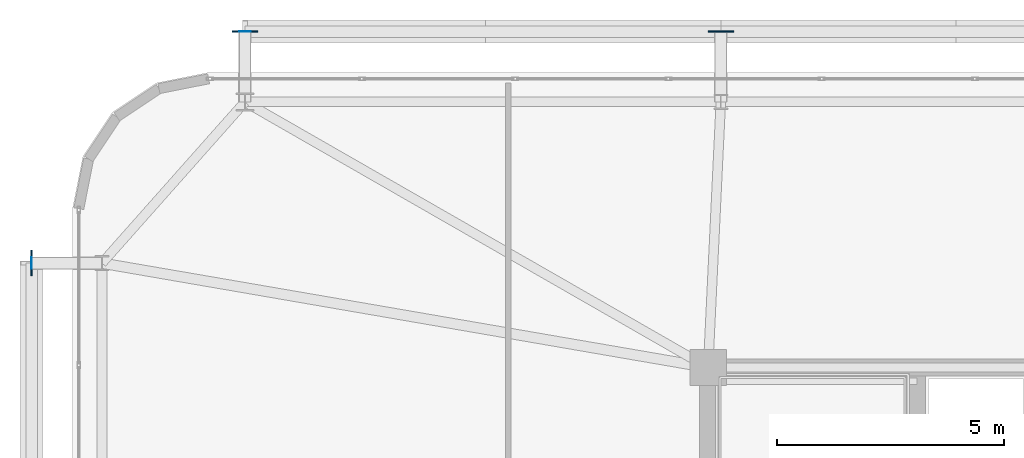
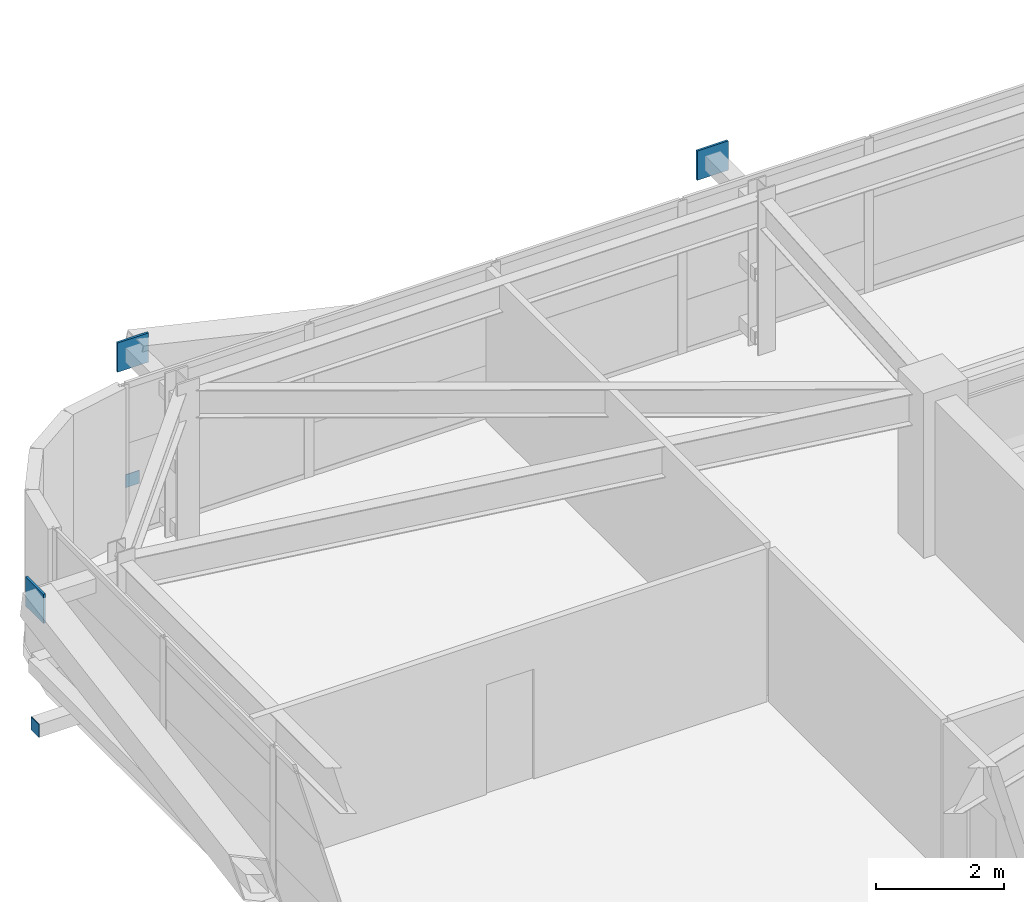
# One storey, part 49 of 59: 5 plates.
"""IFC4 building model written with IfcOpenShell, lengths in metres."""

from ifc_helpers import new_model, si_unit, direction, frame, origin, origin_2d, place, context, subcontext, project, spatial, rectangle, extrude, source, transform, mapped, material, layer, layer_set, type_object, element, save


model = new_model("IFC4")

# Units and contexts
model_context = context("Model", 3, precision=1e-05, world=origin(), true_north=direction((0.0, 1.0)))
body_context = subcontext(model_context, "Body", "Model", "MODEL_VIEW")
ifc_project = project(units=[si_unit("LENGTHUNIT", "METRE"), si_unit("AREAUNIT", "SQUARE_METRE"), si_unit("VOLUMEUNIT", "CUBIC_METRE"), si_unit("PLANEANGLEUNIT", "RADIAN"), si_unit("MASSUNIT", "GRAM", prefix="KILO")], contexts=[model_context])

# Site, building, storey
site_placement = place(None, origin())
site = spatial("IfcSite", under=ifc_project, at=site_placement, CompositionType="ELEMENT")
building_placement = place(site_placement, origin())
building = spatial("IfcBuilding", under=site, at=building_placement, Name="Taldren Reach Tower", CompositionType="ELEMENT")
storey_placement = place(building_placement, frame((0.0, 0.0, 26.25)))
storey = spatial("IfcBuildingStorey", under=building, at=storey_placement, Name="L07", CompositionType="ELEMENT", Elevation=26.25)

# Plates
ifc_material_1 = material(Name="Steel Gr 450 (C450L0)", Category="steel")
ifc_layer_1 = layer(ifc_material_1, 0.0400390625)
ifc_layer_set_1 = layer_set([ifc_layer_1], Name="Steel Gr 450 (C450L0)")
plate_type_1 = type_object("IfcPlateType", Name="PL-GUSSET-40", PredefinedType="SHEET", material=ifc_layer_set_1)
shared_shape_1 = source(origin(), body_context, "Body", "SweptSolid", [
    extrude(rectangle(XDim=0.56005859375, YDim=0.0400390625, at=origin_2d()), origin(), (0.0, 0.0, 1.0), 0.56005859375),
])
for number, where, z_axis, x_axis, name in (
    (1, (8.800048828125, 39.39990234375, 2.369873046875), (0.0, 0.0, 1.0), (1.0, 0.0, 0.0), "Exoskeleton star-node gusset plate B1-N1 L07"),
    (2, (19.280029296875, 39.39990234375, 2.369873046875), (0.0, 0.0, 1.0), (1.0, 0.0, 0.0), "Exoskeleton star-node gusset plate B1-N2 L07"),
    (3, (4.10009765625, 34.300048828125, 2.369873046875), (0.0, 0.0, 1.0), (0.0, 1.0, 0.0), "Exoskeleton star-node gusset plate B1-W3 L07"),
):
    element("IfcPlate", number, at=place(storey_placement, frame(where, z_axis=z_axis, x_axis=x_axis)), inside=storey, type_object=plate_type_1, Name=name, PredefinedType="SHEET", context=body_context, shape_type="MappedRepresentation", body=[
        mapped(shared_shape_1, transform((0.0, 0.0, 0.0), scale=1.0)),
    ])
ifc_material_2 = material(Name="Steel Gr 350 (C350L0)", Category="steel")
ifc_layer_2 = layer(ifc_material_2, 0.011962890625)
ifc_layer_set_2 = layer_set([ifc_layer_2], Name="Steel Gr 350 (C350L0)")
plate_type_2 = type_object("IfcPlateType", Name="PL-CAP-250", PredefinedType="SHEET", material=ifc_layer_set_2)
shared_shape_2 = source(origin(), body_context, "Body", "SweptSolid", [
    extrude(rectangle(XDim=0.25, YDim=0.011962890625, at=origin_2d()), origin(), (0.0, 0.0, 1.0), 0.25),
])
plate_1_placement = place(storey_placement, frame((8.800048828125, 39.406005859375, 0.094970703125), z_axis=(0.0, 0.0, 1.0), x_axis=(1.0, 0.0, 0.0)))
element("IfcPlate", 4, at=plate_1_placement, inside=storey, type_object=plate_type_2, Name="Tie strut end cap plate B1-N1 L07", PredefinedType="SHEET", context=body_context, shape_type="MappedRepresentation", body=[
    mapped(shared_shape_2, transform((0.0, 0.0, 0.0), scale=1.0)),
])
shared_shape_3 = source(origin(), body_context, "Body", "SweptSolid", [
    extrude(rectangle(XDim=0.011962890625, YDim=0.25, at=origin_2d()), origin(), (0.0, 0.0, 1.0), 0.25),
])
plate_2_placement = place(storey_placement, frame((4.093994140625, 34.300048828125, 0.094970703125), z_axis=(0.0, 0.0, 1.0), x_axis=(1.0, 0.0, 0.0)))
element("IfcPlate", 5, at=plate_2_placement, inside=storey, type_object=plate_type_2, Name="Tie strut end cap plate B1-W3 L07", PredefinedType="SHEET", context=body_context, shape_type="MappedRepresentation", body=[
    mapped(shared_shape_3, transform((0.0, 0.0, 0.0), scale=1.0)),
])

save(model, "model.ifc")
